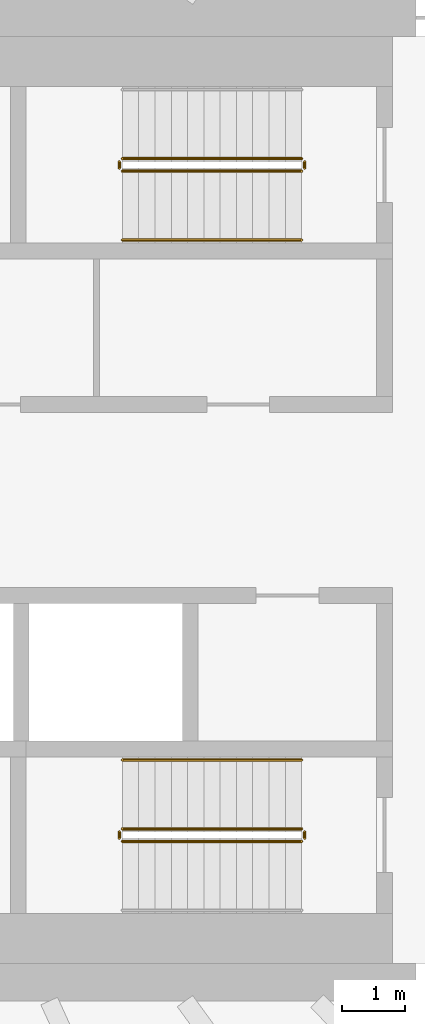
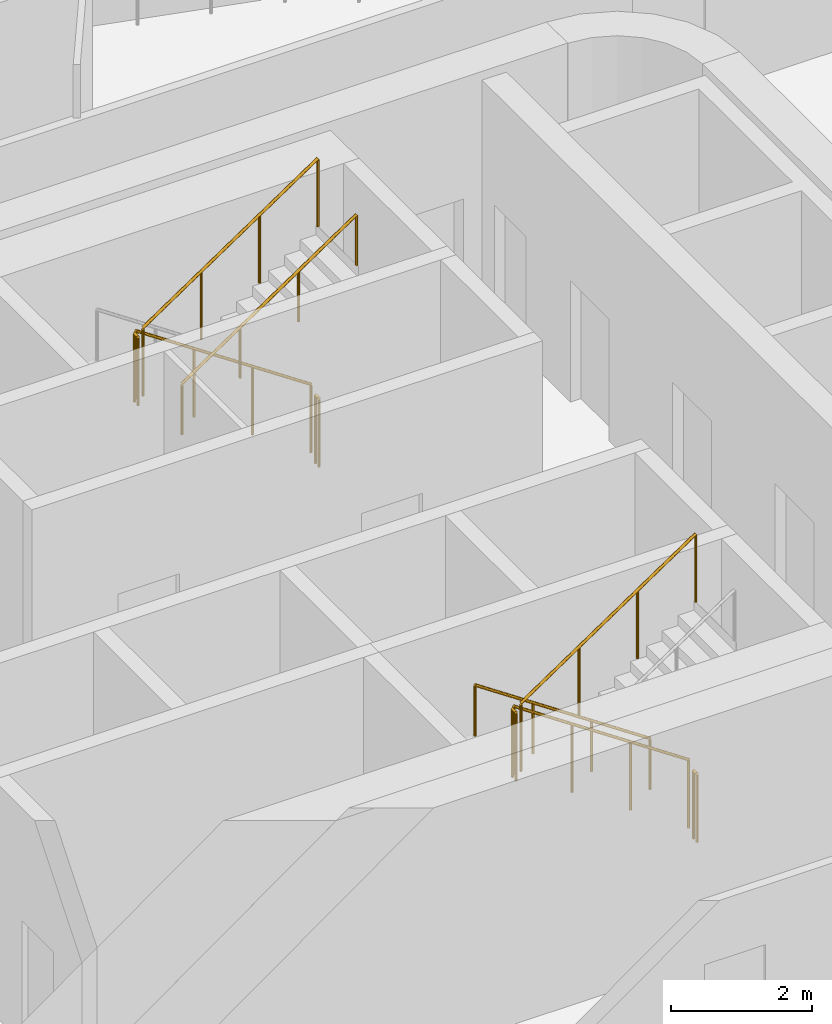
# One storey, part 22 of 25: 10 railings.
"""IFC4 building model written with IfcOpenShell, lengths in metres."""

from ifc_helpers import new_model, si_unit, direction, frame, origin, origin_2d, place, context, subcontext, project, spatial, circle, extrude, material, type_object, element, save


model = new_model("IFC4")

# Units and contexts
model_context = context("Model", 3, precision=1e-05, world=origin(), true_north=direction((0.0, 1.0)))
body_context = subcontext(model_context, "Body", "Model", "MODEL_VIEW")
ifc_project = project(units=[si_unit("LENGTHUNIT", "METRE"), si_unit("AREAUNIT", "SQUARE_METRE"), si_unit("VOLUMEUNIT", "CUBIC_METRE"), si_unit("PLANEANGLEUNIT", "RADIAN"), si_unit("MASSUNIT", "GRAM", prefix="KILO")], contexts=[model_context])

# Site, building, storey
site_placement = place(None, origin())
site = spatial("IfcSite", under=ifc_project, at=site_placement, CompositionType="ELEMENT")
building_placement = place(site_placement, origin())
building = spatial("IfcBuilding", under=site, at=building_placement, Name="Sahrelin Media Tower", CompositionType="ELEMENT")
storey_placement = place(building_placement, frame((0.0, 0.0, 127.199951171875)))
storey = spatial("IfcBuildingStorey", under=building, at=storey_placement, Name="L25", CompositionType="ELEMENT", Elevation=127.199951171875)

# Railings
ifc_material = material(Name="Steel S355", Category="steel")
railing_type_1 = type_object("IfcRailingType", Name="Stair guard 1200", PredefinedType="GUARDRAIL", material=ifc_material)
railing_1_placement = place(storey_placement, frame((7.675048828125, 5.449951171875, 0.175048828125)))
element("IfcRailing", 1, at=railing_1_placement, inside=storey, type_object=railing_type_1, Name="L25 ST3 stair guard 1", PredefinedType="GUARDRAIL", context=body_context, shape_type="SweptSolid", body=[
    extrude(circle(Radius=0.02392578125, at=origin_2d()), frame((0.0, 0.0, 1.17578125), z_axis=(-0.829590901723, 0.0, 0.558371682465), x_axis=(0.0, -1.0, 0.0)), (0.0, 0.0, 1.0), 3.447509765625),
    extrude(circle(Radius=0.02099609375, at=origin_2d()), origin(), (0.0, 0.0, 1.0), 1.15185546875),
    extrude(circle(Radius=0.02099609375, at=origin_2d()), frame((-0.953369140625, 0.0, 0.6416015625)), (0.0, 0.0, 1.0), 1.15185546875),
    extrude(circle(Radius=0.02099609375, at=origin_2d()), frame((-1.90673828125, 0.0, 1.283447265625)), (0.0, 0.0, 1.0), 1.15185546875),
    extrude(circle(Radius=0.02099609375, at=origin_2d()), frame((-2.860107421875, 0.0, 1.925048828125)), (0.0, 0.0, 1.0), 1.15185546875),
])
railing_2_placement = place(storey_placement, frame((4.764892578125, 5.39990234375, 2.10009765625)))
element("IfcRailing", 2, at=railing_2_placement, inside=storey, type_object=railing_type_1, Name="L25 ST3 stair guard 2", PredefinedType="GUARDRAIL", context=body_context, shape_type="SweptSolid", body=[
    extrude(circle(Radius=0.02392578125, at=origin_2d()), frame((0.0, 0.0, 1.17578125), z_axis=(0.0, -1.0, 0.0), x_axis=(1.0, 0.0, 0.0)), (0.0, 0.0, 1.0), 0.099853515625),
    extrude(circle(Radius=0.02099609375, at=origin_2d()), origin(), (0.0, 0.0, 1.0), 1.15185546875),
    extrude(circle(Radius=0.02099609375, at=origin_2d()), frame((0.0, -0.099853515625, 0.0)), (0.0, 0.0, 1.0), 1.15185546875),
])
railing_3_placement = place(storey_placement, frame((4.81494140625, 5.25, 2.275146484375)))
element("IfcRailing", 3, at=railing_3_placement, inside=storey, type_object=railing_type_1, Name="L25 ST3 stair guard 3", PredefinedType="GUARDRAIL", context=body_context, shape_type="SweptSolid", body=[
    extrude(circle(Radius=0.02392578125, at=origin_2d()), frame((0.0, 0.0, 1.17578125), z_axis=(0.829623704247, 0.0, 0.558322943601), x_axis=(0.0, 1.0, 0.0)), (0.0, 0.0, 1.0), 3.447509765625),
    extrude(circle(Radius=0.02099609375, at=origin_2d()), origin(), (0.0, 0.0, 1.0), 1.15185546875),
    extrude(circle(Radius=0.02099609375, at=origin_2d()), frame((0.953369140625, 0.0, 0.6416015625)), (0.0, 0.0, 1.0), 1.15185546875),
    extrude(circle(Radius=0.02099609375, at=origin_2d()), frame((1.90673828125, 0.0, 1.283203125)), (0.0, 0.0, 1.0), 1.15185546875),
    extrude(circle(Radius=0.02099609375, at=origin_2d()), frame((2.860107421875, 0.0, 1.9248046875)), (0.0, 0.0, 1.0), 1.15185546875),
])
railing_4_placement = place(storey_placement, frame((7.72509765625, 5.39990234375, 0.0)))
element("IfcRailing", 4, at=railing_4_placement, inside=storey, type_object=railing_type_1, Name="L25 ST3 stair guard 4", PredefinedType="GUARDRAIL", context=body_context, shape_type="SweptSolid", body=[
    extrude(circle(Radius=0.02392578125, at=origin_2d()), frame((0.0, 0.0, 1.17578125), z_axis=(0.0, -1.0, 0.0), x_axis=(1.0, 0.0, 0.0)), (0.0, 0.0, 1.0), 0.099853515625),
    extrude(circle(Radius=0.02099609375, at=origin_2d()), origin(), (0.0, 0.0, 1.0), 1.15185546875),
    extrude(circle(Radius=0.02099609375, at=origin_2d()), frame((0.0, -0.099853515625, 0.0)), (0.0, 0.0, 1.0), 1.15185546875),
])
railing_5_placement = place(storey_placement, frame((7.675048828125, -5.25, 0.175048828125)))
element("IfcRailing", 5, at=railing_5_placement, inside=storey, type_object=railing_type_1, Name="L25 ST2 stair guard 1", PredefinedType="GUARDRAIL", context=body_context, shape_type="SweptSolid", body=[
    extrude(circle(Radius=0.02392578125, at=origin_2d()), frame((0.0, 0.0, 1.17578125), z_axis=(-0.829590901723, 0.0, 0.558371682465), x_axis=(0.0, -1.0, 0.0)), (0.0, 0.0, 1.0), 3.447509765625),
    extrude(circle(Radius=0.02099609375, at=origin_2d()), origin(), (0.0, 0.0, 1.0), 1.15185546875),
    extrude(circle(Radius=0.02099609375, at=origin_2d()), frame((-0.953369140625, 0.0, 0.6416015625)), (0.0, 0.0, 1.0), 1.15185546875),
    extrude(circle(Radius=0.02099609375, at=origin_2d()), frame((-1.90673828125, 0.0, 1.283447265625)), (0.0, 0.0, 1.0), 1.15185546875),
    extrude(circle(Radius=0.02099609375, at=origin_2d()), frame((-2.860107421875, 0.0, 1.925048828125)), (0.0, 0.0, 1.0), 1.15185546875),
])
railing_6_placement = place(storey_placement, frame((4.764892578125, -5.300048828125, 2.10009765625)))
element("IfcRailing", 6, at=railing_6_placement, inside=storey, type_object=railing_type_1, Name="L25 ST2 stair guard 2", PredefinedType="GUARDRAIL", context=body_context, shape_type="SweptSolid", body=[
    extrude(circle(Radius=0.02392578125, at=origin_2d()), frame((0.0, 0.0, 1.17578125), z_axis=(0.0, -1.0, 0.0), x_axis=(1.0, 0.0, 0.0)), (0.0, 0.0, 1.0), 0.099853515625),
    extrude(circle(Radius=0.02099609375, at=origin_2d()), origin(), (0.0, 0.0, 1.0), 1.15185546875),
    extrude(circle(Radius=0.02099609375, at=origin_2d()), frame((0.0, -0.099853515625, 0.0)), (0.0, 0.0, 1.0), 1.15185546875),
])
railing_7_placement = place(storey_placement, frame((4.81494140625, -5.449951171875, 2.275146484375)))
element("IfcRailing", 7, at=railing_7_placement, inside=storey, type_object=railing_type_1, Name="L25 ST2 stair guard 3", PredefinedType="GUARDRAIL", context=body_context, shape_type="SweptSolid", body=[
    extrude(circle(Radius=0.02392578125, at=origin_2d()), frame((0.0, 0.0, 1.17578125), z_axis=(0.829623704247, 0.0, 0.558322943601), x_axis=(0.0, 1.0, 0.0)), (0.0, 0.0, 1.0), 3.447509765625),
    extrude(circle(Radius=0.02099609375, at=origin_2d()), origin(), (0.0, 0.0, 1.0), 1.15185546875),
    extrude(circle(Radius=0.02099609375, at=origin_2d()), frame((0.953369140625, 0.0, 0.6416015625)), (0.0, 0.0, 1.0), 1.15185546875),
    extrude(circle(Radius=0.02099609375, at=origin_2d()), frame((1.90673828125, 0.0, 1.283203125)), (0.0, 0.0, 1.0), 1.15185546875),
    extrude(circle(Radius=0.02099609375, at=origin_2d()), frame((2.860107421875, 0.0, 1.9248046875)), (0.0, 0.0, 1.0), 1.15185546875),
])
railing_8_placement = place(storey_placement, frame((7.72509765625, -5.300048828125, 0.0)))
element("IfcRailing", 8, at=railing_8_placement, inside=storey, type_object=railing_type_1, Name="L25 ST2 stair guard 4", PredefinedType="GUARDRAIL", context=body_context, shape_type="SweptSolid", body=[
    extrude(circle(Radius=0.02392578125, at=origin_2d()), frame((0.0, 0.0, 1.17578125), z_axis=(0.0, -1.0, 0.0), x_axis=(1.0, 0.0, 0.0)), (0.0, 0.0, 1.0), 0.099853515625),
    extrude(circle(Radius=0.02099609375, at=origin_2d()), origin(), (0.0, 0.0, 1.0), 1.15185546875),
    extrude(circle(Radius=0.02099609375, at=origin_2d()), frame((0.0, -0.099853515625, 0.0)), (0.0, 0.0, 1.0), 1.15185546875),
])
railing_type_2 = type_object("IfcRailingType", Name="Stair handrail 900", PredefinedType="HANDRAIL", material=ifc_material)
railing_9_placement = place(storey_placement, frame((4.81494140625, 4.14990234375, 2.275146484375)))
element("IfcRailing", 9, at=railing_9_placement, inside=storey, type_object=railing_type_2, Name="L25 ST3 stair handrail 2", PredefinedType="HANDRAIL", context=body_context, shape_type="SweptSolid", body=[
    extrude(circle(Radius=0.02392578125, at=origin_2d()), frame((0.0, 0.0, 0.8759765625), z_axis=(0.829623704247, 0.0, 0.558322943601), x_axis=(0.0, 1.0, 0.0)), (0.0, 0.0, 1.0), 3.447509765625),
    extrude(circle(Radius=0.02099609375, at=origin_2d()), origin(), (0.0, 0.0, 1.0), 0.851806640625),
    extrude(circle(Radius=0.02099609375, at=origin_2d()), frame((0.953369140625, 0.0, 0.6416015625)), (0.0, 0.0, 1.0), 0.851806640625),
    extrude(circle(Radius=0.02099609375, at=origin_2d()), frame((1.90673828125, 0.0, 1.283203125)), (0.0, 0.0, 1.0), 0.851806640625),
    extrude(circle(Radius=0.02099609375, at=origin_2d()), frame((2.860107421875, 0.0, 1.9248046875)), (0.0, 0.0, 1.0), 0.851806640625),
])
railing_10_placement = place(storey_placement, frame((7.675048828125, -4.14990234375, 0.175048828125)))
element("IfcRailing", 10, at=railing_10_placement, inside=storey, type_object=railing_type_2, Name="L25 ST2 stair handrail 1", PredefinedType="HANDRAIL", context=body_context, shape_type="SweptSolid", body=[
    extrude(circle(Radius=0.02392578125, at=origin_2d()), frame((0.0, 0.0, 0.8759765625), z_axis=(-0.829590901723, 0.0, 0.558371682465), x_axis=(0.0, -1.0, 0.0)), (0.0, 0.0, 1.0), 3.447509765625),
    extrude(circle(Radius=0.02099609375, at=origin_2d()), origin(), (0.0, 0.0, 1.0), 0.851806640625),
    extrude(circle(Radius=0.02099609375, at=origin_2d()), frame((-0.953369140625, 0.0, 0.6416015625)), (0.0, 0.0, 1.0), 0.851806640625),
    extrude(circle(Radius=0.02099609375, at=origin_2d()), frame((-1.90673828125, 0.0, 1.283447265625)), (0.0, 0.0, 1.0), 0.851806640625),
    extrude(circle(Radius=0.02099609375, at=origin_2d()), frame((-2.860107421875, 0.0, 1.925048828125)), (0.0, 0.0, 1.0), 0.851806640625),
])

save(model, "model.ifc")
